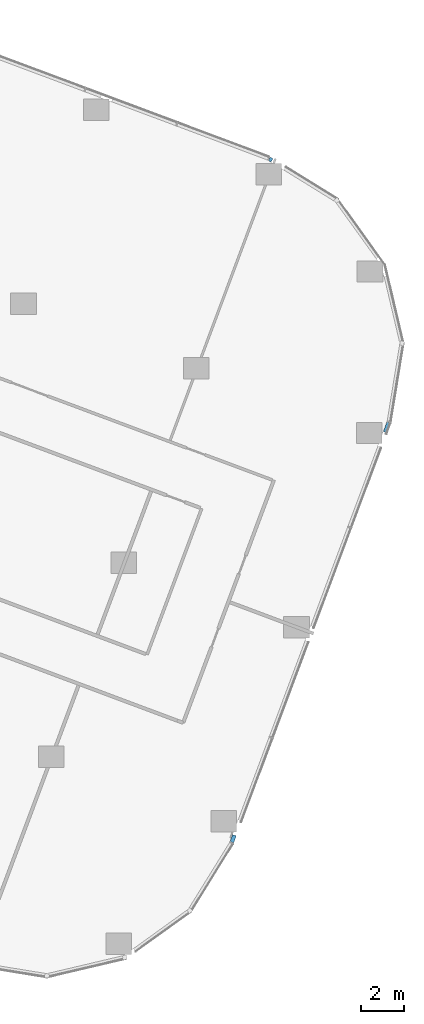
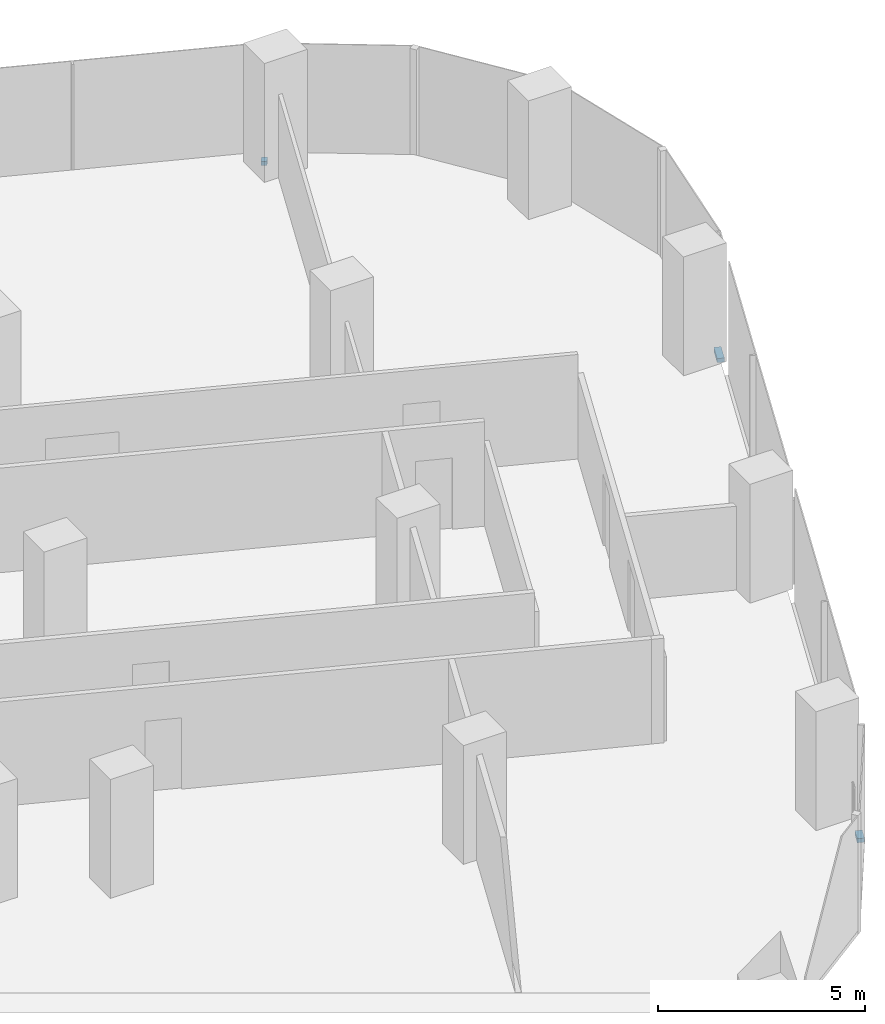
# One storey, part 15 of 31: 3 members, 2 elements without a shape of their own.
"""IFC4 building model written with IfcOpenShell, lengths in metres."""

import ifcopenshell
import ifcopenshell.guid

model = None  # the IFC model being written
_history = None  # IfcOwnerHistory: only IFC2X3 demands one
_inside = {}  # id of a spatial element -> (the spatial element, [elements in it])
_under = {}  # id of a project, library or spatial element -> (it, [spatial elements below it])
_declared = {}  # id of a project -> (the project, [libraries it declares])
_typed = {}  # id of a type object -> (the type object, [elements of that type])
_made_of = {}  # id of a material, layer set ... -> (it, [elements and type objects made of it])


def new_model(schema):
    """Start an empty IFC model of exactly this schema.

    Asked for "IFC4X3", IfcOpenShell would pick the latest addendum, in which some entities
    have other attributes; the version numbers below select the first issue.
    IFC2X3 requires an IfcOwnerHistory on every rooted entity: one is made here for all.
    """
    global model, _history
    if schema == "IFC4X3":
        model = ifcopenshell.file(schema_version=(4, 3, 0, 0))
    else:
        model = ifcopenshell.file(schema=schema)
    _inside.clear()
    _under.clear()
    _declared.clear()
    _typed.clear()
    _made_of.clear()
    _history = None
    if model.schema == "IFC2X3":
        org = make("IfcOrganization", Name="unknown")
        user = make(
            "IfcPersonAndOrganization",
            ThePerson=make("IfcPerson", FamilyName="unknown"),
            TheOrganization=org,
        )
        app = make(
            "IfcApplication",
            ApplicationDeveloper=org,
            Version="unknown",
            ApplicationFullName="unknown",
            ApplicationIdentifier="unknown",
        )
        _history = make(
            "IfcOwnerHistory",
            OwningUser=user,
            OwningApplication=app,
            ChangeAction="ADDED",
            CreationDate=0,
        )
    return model


def make(cls, **values):
    """One entity of the class cls with the attributes given. An attribute that is None is left unset."""
    return model.create_entity(
        cls, **{name: value for name, value in values.items() if value is not None}
    )


def rooted(cls, **values):
    """An entity with a GlobalId (a new one), such as an element, a storey or a relation."""
    return make(cls, GlobalId=ifcopenshell.guid.new(), OwnerHistory=_history, **values)


def si_unit(unit_type, name, prefix=None):
    """IfcSIUnit, for example si_unit("LENGTHUNIT", "METRE", prefix="MILLI")."""
    return make("IfcSIUnit", UnitType=unit_type, Prefix=prefix, Name=name)


def assignment(units):
    """IfcUnitAssignment: the units of a project."""
    return None if units is None else make("IfcUnitAssignment", Units=units)


def point(xyz):
    """IfcCartesianPoint."""
    return None if xyz is None else make("IfcCartesianPoint", Coordinates=xyz)


def direction(xyz):
    """IfcDirection."""
    return None if xyz is None else make("IfcDirection", DirectionRatios=xyz)


def frame(location, z_axis=None, x_axis=None):
    """IfcAxis2Placement3D, a coordinate frame: its origin and axes. An axis left out is left unset."""
    return make(
        "IfcAxis2Placement3D",
        Location=point(location),
        Axis=direction(z_axis),
        RefDirection=direction(x_axis),
    )


def frame_2d(location, x_axis=None):
    """IfcAxis2Placement2D, a coordinate frame in the plane: its origin and x axis."""
    return make(
        "IfcAxis2Placement2D", Location=point(location), RefDirection=direction(x_axis)
    )


def origin():
    """The frame at (0, 0, 0) with its axes left unset."""
    return frame((0.0, 0.0, 0.0))


def origin_2d():
    """The frame at (0, 0) in the plane with its x axis left unset."""
    return frame_2d((0.0, 0.0))


def place(relative_to, where):
    """IfcLocalPlacement: puts the frame where relative to a parent placement (None: the world)."""
    return make(
        "IfcLocalPlacement", PlacementRelTo=relative_to, RelativePlacement=where
    )


def context(
    kind, dimensions, precision=None, world=None, true_north=None, identifier=None
):
    """IfcGeometricRepresentationContext, for example the 3D "Model" context."""
    return make(
        "IfcGeometricRepresentationContext",
        ContextIdentifier=identifier,
        ContextType=kind,
        CoordinateSpaceDimension=dimensions,
        Precision=precision,
        WorldCoordinateSystem=world,
        TrueNorth=true_north,
    )


def subcontext(parent, identifier, kind, view, scale=None):
    """IfcGeometricRepresentationSubContext, for example "Body" below "Model"."""
    return make(
        "IfcGeometricRepresentationSubContext",
        ContextIdentifier=identifier,
        ContextType=kind,
        ParentContext=parent,
        TargetScale=scale,
        TargetView=view,
    )


def project(units=None, contexts=None):
    """IfcProject with its units and contexts."""
    return rooted(
        "IfcProject",
        Name="project",
        RepresentationContexts=contexts,
        UnitsInContext=assignment(units),
    )


def spatial(cls, under=None, at=None, **own):
    """A site, building, storey or space (cls), placed at a placement, below another one or the project."""
    s = rooted(cls, ObjectPlacement=at, **own)
    if under is not None:
        _under.setdefault(under.id(), (under, []))[1].append(s)
    return s


def profile(cls, at=None, kind="AREA", **sizes):
    """A parametric profile (cls). Its sizes go by their IFC names, for example OverallWidth=200.0."""
    return make(cls, ProfileType=kind, Position=at, **sizes)


def rectangle(**sizes):
    """IfcRectangleProfileDef."""
    return profile("IfcRectangleProfileDef", **sizes)


def extrude(swept, where, along, depth):
    """IfcExtrudedAreaSolid: the profile swept, set in the frame where, extruded along a direction by depth."""
    return make(
        "IfcExtrudedAreaSolid",
        SweptArea=swept,
        Position=where,
        ExtrudedDirection=direction(along),
        Depth=depth,
    )


def shape(context_of_items, identifier, shape_type, items):
    """IfcShapeRepresentation: the items that make up one representation, for example the "Body"."""
    return make(
        "IfcShapeRepresentation",
        ContextOfItems=context_of_items,
        RepresentationIdentifier=identifier,
        RepresentationType=shape_type,
        Items=items,
    )


def material(Name=None, Category=None):
    """IfcMaterial."""
    return make("IfcMaterial", Name=Name, Category=Category)


def material_profile(
    of_material, cross_section, Name=None, Category=None, Priority=None
):
    """IfcMaterialProfile: a cross section and its material."""
    return make(
        "IfcMaterialProfile",
        Name=Name,
        Material=of_material,
        Profile=cross_section,
        Priority=Priority,
        Category=Category,
    )


def profile_set(profiles, Name=None, composite=None):
    """IfcMaterialProfileSet."""
    return make(
        "IfcMaterialProfileSet",
        Name=Name,
        MaterialProfiles=profiles,
        CompositeProfile=composite,
    )


def made_of(thing, what):
    """Note that an element or type object is made of a material, layer set ...; save() writes the relation."""
    if what is not None:
        _made_of.setdefault(what.id(), (what, []))[1].append(thing)
    return thing


def type_object(cls, material=None, **own):
    """A type object (cls), such as IfcWallType, which elements share."""
    return made_of(rooted(cls, **own), material)


def element(
    cls,
    number,
    at=None,
    inside=None,
    cuts=None,
    type_object=None,
    material=None,
    context=None,
    identifier="Body",
    shape_type=None,
    held_by="IfcProductDefinitionShape",
    body=None,
    shapes=None,
    **own,
):
    """One element of the class cls, such as IfcWall. Its Tag is "e" and its number.

    at: its placement. inside: the storey or other place that contains it. cuts: it is an
    opening in that element (IfcRelVoidsElement). A single representation is given by context,
    identifier, shape_type and body (its items); several are given by shapes. held_by: the class
    of the entity that holds the representations. save() writes the other relations.
    """
    e = rooted(cls, Tag="e%d" % number, ObjectPlacement=at, **own)
    if body is not None:
        shapes = [shape(context, identifier, shape_type, body)]
    if shapes is not None:
        e.Representation = make(held_by, Representations=shapes)
    if inside is not None:
        _inside.setdefault(inside.id(), (inside, []))[1].append(e)
    if cuts is not None:
        rooted(
            "IfcRelVoidsElement", RelatingBuildingElement=cuts, RelatedOpeningElement=e
        )
    if type_object is not None:
        _typed.setdefault(type_object.id(), (type_object, []))[1].append(e)
    return made_of(e, material)


def aggregate(whole, parts):
    """IfcRelAggregates: a whole, such as a stair, and the parts it consists of."""
    return rooted("IfcRelAggregates", RelatingObject=whole, RelatedObjects=parts)


def save(model, path):
    """Write the relations noted so far, then the file.

    IfcRelAggregates (storeys below a building ...), IfcRelContainedInSpatialStructure (elements
    in a storey), IfcRelDefinesByType, IfcRelAssociatesMaterial and IfcRelDeclares: one each for
    every whole, place, type object, material and project.
    """
    for whole, parts in _under.values():
        aggregate(whole, parts)
    for where, things in _inside.values():
        rooted(
            "IfcRelContainedInSpatialStructure",
            RelatedElements=things,
            RelatingStructure=where,
        )
    for kind, things in _typed.values():
        rooted("IfcRelDefinesByType", RelatedObjects=things, RelatingType=kind)
    for what, things in _made_of.values():
        rooted("IfcRelAssociatesMaterial", RelatedObjects=things, RelatingMaterial=what)
    for by, libraries in _declared.values():
        rooted("IfcRelDeclares", RelatingContext=by, RelatedDefinitions=libraries)
    model.write(path)


model = new_model("IFC4")

# Units and contexts
model_context = context("Model", 3, precision=1e-05, world=origin(), true_north=direction((0.0, 1.0)))
body_context = subcontext(model_context, "Body", "Model", "MODEL_VIEW")
ifc_project = project(units=[si_unit("LENGTHUNIT", "METRE"), si_unit("AREAUNIT", "SQUARE_METRE"), si_unit("VOLUMEUNIT", "CUBIC_METRE"), si_unit("PLANEANGLEUNIT", "RADIAN"), si_unit("MASSUNIT", "GRAM", prefix="KILO")], contexts=[model_context])

# Site, building, storey
site_placement = place(None, origin())
site = spatial("IfcSite", under=ifc_project, at=site_placement, CompositionType="ELEMENT")
building_placement = place(site_placement, origin())
building = spatial("IfcBuilding", under=site, at=building_placement, Name="Orlundy Tower", CompositionType="ELEMENT")
storey_placement = place(building_placement, frame((0.0, 0.0, 91.199951171875)))
storey = spatial("IfcBuildingStorey", under=building, at=storey_placement, Name="L22", CompositionType="ELEMENT", Elevation=91.199951171875)

# Curtain wall, member
ifc_material_1 = material(Name="Aluminium bronze anodised", Category="aluminium")
curtain_wall_type = type_object("IfcCurtainWallType", Name="CW1 wall", PredefinedType="NOTDEFINED", material=ifc_material_1)
curtain_wall_1_placement = place(storey_placement, origin())
curtain_wall_1 = element("IfcCurtainWall", 1, at=curtain_wall_1_placement, inside=storey, type_object=curtain_wall_type, Name="CW1 run 07", PredefinedType="NOTDEFINED")
ifc_material_2 = material(Name="Aluminium bronze anodised", Category="aluminium")
ifc_material_profile = material_profile(ifc_material_2, rectangle(XDim=0.179931640625, YDim=0.1201171875, at=origin_2d()), Name="CW1 transom 180x120")
ifc_profile_set = profile_set([ifc_material_profile], Name="Aluminium bronze anodised")
member_type = type_object("IfcMemberType", Name="CW1 transom 180x120", PredefinedType="USERDEFINED", material=ifc_profile_set)
member_1_placement = place(storey_placement, frame((53.899169921875, 1.291015625, -0.33984375), z_axis=(0.850797997359, -0.525492880722, 0.0), x_axis=(0.525492880722, 0.850797997359, 0.0)))
member_1 = element("IfcMember", 2, at=member_1_placement, type_object=member_type, Name="CW1 transom", ObjectType="TRANSOM", PredefinedType="USERDEFINED", context=body_context, shape_type="SweptSolid", body=[
    extrude(rectangle(XDim=0.179931640625, YDim=0.1201171875, at=origin_2d()), origin(), (0.0, 0.0, 1.0), 0.146240234375),
])
aggregate(curtain_wall_1, [member_1])

# Curtain wall, members
curtain_wall_2_placement = place(storey_placement, origin())
curtain_wall_2 = element("IfcCurtainWall", 3, at=curtain_wall_2_placement, inside=storey, type_object=curtain_wall_type, Name="CW1 run 011", PredefinedType="NOTDEFINED")
member_2_placement = place(storey_placement, frame((59.487548828125, -11.048828125, -0.33984375), z_axis=(-0.350299507683, -0.936637739426, 0.0), x_axis=(0.936637739426, -0.350299507683, 0.0)))
member_2 = element("IfcMember", 4, at=member_2_placement, type_object=member_type, Name="CW1 transom", ObjectType="TRANSOM", PredefinedType="USERDEFINED", context=body_context, shape_type="SweptSolid", body=[
    extrude(rectangle(XDim=0.179931640625, YDim=0.1201171875, at=origin_2d()), origin(), (0.0, 0.0, 1.0), 0.487060546875),
])
member_3_placement = place(storey_placement, frame((52.2666015625, -30.363037109375, -0.33984375), z_axis=(-0.350198501228, -0.936675509308, 0.0), x_axis=(0.936675509308, -0.350198501228, 0.0)))
member_3 = element("IfcMember", 5, at=member_3_placement, type_object=member_type, Name="CW1 transom", ObjectType="TRANSOM", PredefinedType="USERDEFINED", context=body_context, shape_type="SweptSolid", body=[
    extrude(rectangle(XDim=0.179931640625, YDim=0.1201171875, at=origin_2d()), origin(), (0.0, 0.0, 1.0), 0.34716796875),
])
aggregate(curtain_wall_2, [member_2, member_3])

save(model, "model.ifc")
